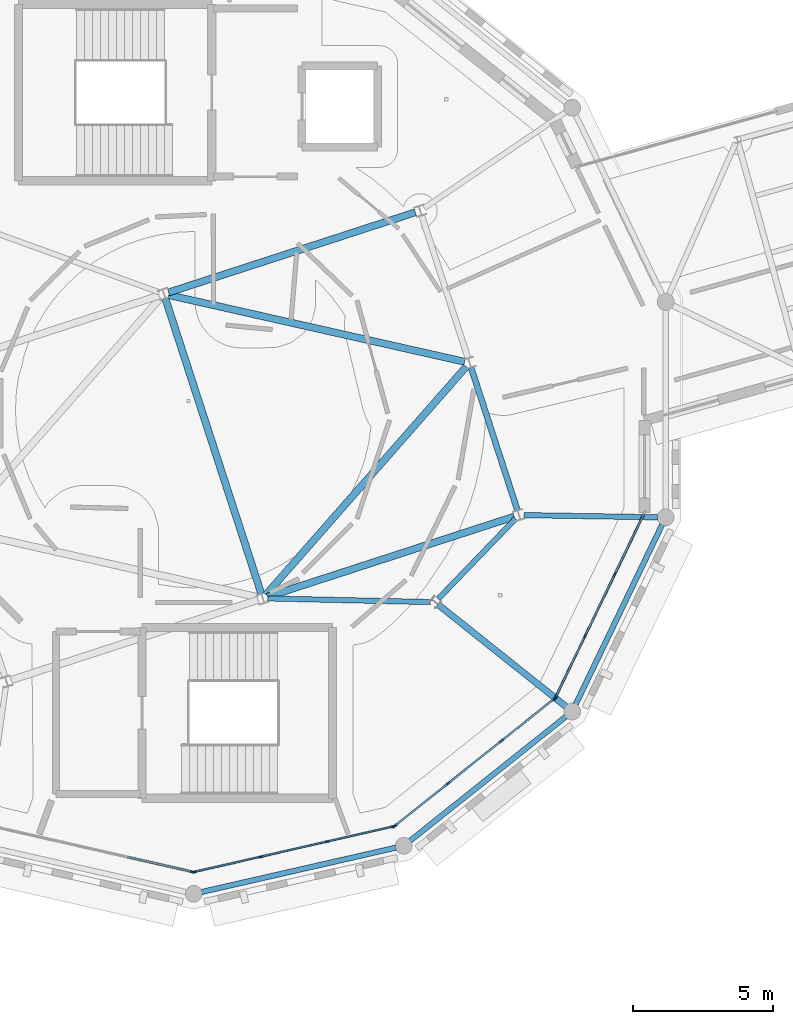
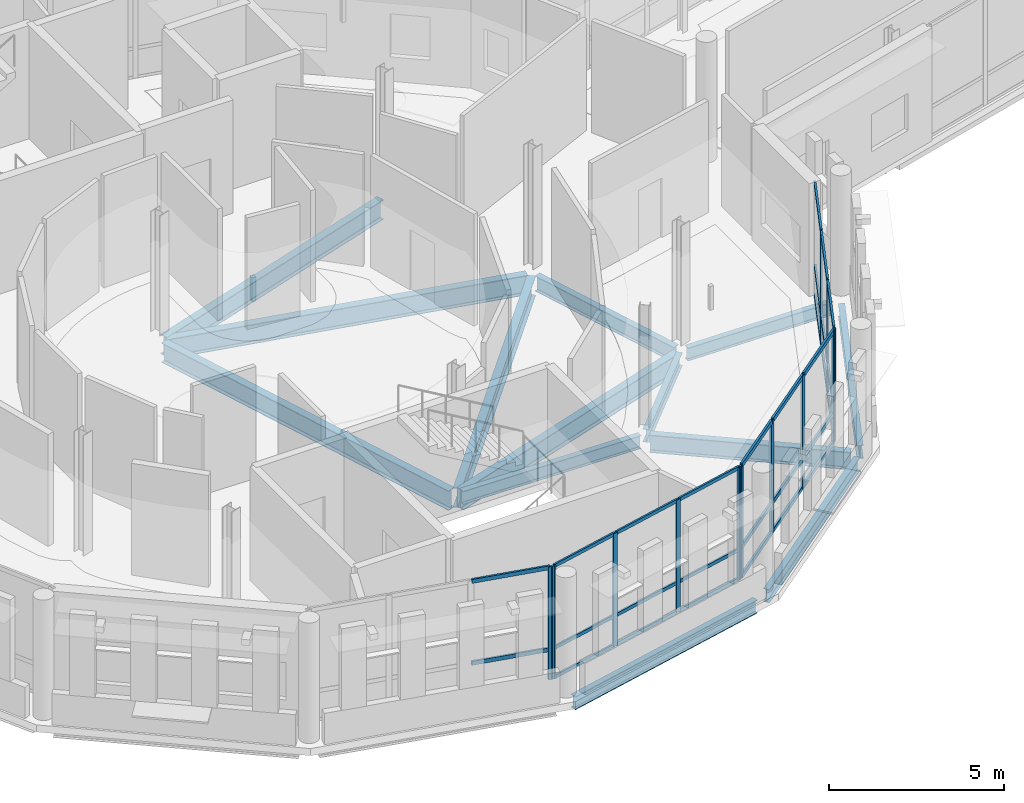
# One storey, part 28 of 125: 41 members, 13 beams, 4 elements without a shape of their own.
"""IFC4 building model written with IfcOpenShell, lengths in metres."""

from ifc_helpers import new_model, si_unit, direction, frame, origin, origin_2d, place, context, subcontext, project, spatial, rectangle, i_section, extrude, material, material_profile, profile_set, type_object, element, aggregate, save


model = new_model("IFC4")

# Units and contexts
model_context = context("Model", 3, precision=1e-05, world=origin(), true_north=direction((0.0, 1.0)))
body_context = subcontext(model_context, "Body", "Model", "MODEL_VIEW")
ifc_project = project(units=[si_unit("LENGTHUNIT", "METRE"), si_unit("AREAUNIT", "SQUARE_METRE"), si_unit("VOLUMEUNIT", "CUBIC_METRE"), si_unit("PLANEANGLEUNIT", "RADIAN"), si_unit("MASSUNIT", "GRAM", prefix="KILO")], contexts=[model_context])

# Site, building, storey
site_placement = place(None, origin())
site = spatial("IfcSite", under=ifc_project, at=site_placement, CompositionType="ELEMENT")
building_placement = place(site_placement, origin())
building = spatial("IfcBuilding", under=site, at=building_placement, Name="Wrenclough Park School", CompositionType="ELEMENT")
storey_placement = place(building_placement, frame((0.0, 0.0, 4.199951171875)))
storey = spatial("IfcBuildingStorey", under=building, at=storey_placement, Name="L01", CompositionType="ELEMENT", Elevation=4.199951171875)

# Curtain wall, members
ifc_material_1 = material(Name="Thermally broken aluminium and low-e glass curtain wall", Category="aluminium")
curtain_wall_type_1 = type_object("IfcCurtainWallType", Name="ENV-CW-05", PredefinedType="USERDEFINED", material=ifc_material_1)
curtain_wall_1_placement = place(storey_placement, origin())
curtain_wall_1 = element("IfcCurtainWall", 1, at=curtain_wall_1_placement, inside=storey, type_object=curtain_wall_type_1, Name="L01 recessed curtain wall assembly 084", ObjectType="CURTAIN WALL", PredefinedType="USERDEFINED")
ifc_material_2 = material(Name="Thermally broken anodised aluminium", Category="aluminium")
ifc_material_profile_1 = material_profile(ifc_material_2, rectangle(XDim=0.06005859375, YDim=0.159912109375, at=origin_2d()), Name="AL MULLION 60x160")
ifc_profile_set_1 = profile_set([ifc_material_profile_1], Name="Thermally broken anodised aluminium")
member_type_1 = type_object("IfcMemberType", Name="ENV-CWM-1", PredefinedType="MULLION", material=ifc_profile_set_1)
member_1_placement = place(storey_placement, frame((43.615966796875, 8.647216796875, 0.0), z_axis=(0.0, 0.0, 1.0), x_axis=(0.222513781108, -0.974929544745, 0.0)))
member_1 = element("IfcMember", 2, at=member_1_placement, type_object=member_type_1, Name="CW-05 mullion 1", PredefinedType="MULLION", context=body_context, shape_type="SweptSolid", body=[
    extrude(rectangle(XDim=0.06005859375, YDim=0.159912109375, at=origin_2d()), origin(), (0.0, 0.0, 1.0), 3.93994140625),
])
member_2_placement = place(storey_placement, frame((41.2646484375, 8.110595703125, 0.0), z_axis=(0.0, 0.0, 1.0), x_axis=(0.222513781108, -0.974929544745, 0.0)))
member_2 = element("IfcMember", 3, at=member_2_placement, type_object=member_type_1, Name="CW-05 mullion 2", PredefinedType="MULLION", context=body_context, shape_type="SweptSolid", body=[
    extrude(rectangle(XDim=0.06005859375, YDim=0.159912109375, at=origin_2d()), origin(), (0.0, 0.0, 1.0), 3.93994140625),
])
member_3_placement = place(storey_placement, frame((38.88427734375, 7.5673828125, 0.0), z_axis=(0.0, 0.0, 1.0), x_axis=(0.222513781108, -0.974929544745, 0.0)))
member_3 = element("IfcMember", 4, at=member_3_placement, type_object=member_type_1, Name="CW-05 mullion 3", PredefinedType="MULLION", context=body_context, shape_type="SweptSolid", body=[
    extrude(rectangle(XDim=0.06005859375, YDim=0.159912109375, at=origin_2d()), origin(), (0.0, 0.0, 1.0), 3.93994140625),
])
member_4_placement = place(storey_placement, frame((36.533203125, 7.03076171875, 0.0), z_axis=(0.0, 0.0, 1.0), x_axis=(0.222513781108, -0.974929544745, 0.0)))
member_4 = element("IfcMember", 5, at=member_4_placement, type_object=member_type_1, Name="CW-05 mullion 4", PredefinedType="MULLION", context=body_context, shape_type="SweptSolid", body=[
    extrude(rectangle(XDim=0.06005859375, YDim=0.159912109375, at=origin_2d()), origin(), (0.0, 0.0, 1.0), 3.93994140625),
])

# Curtain wall, member
curtain_wall_type_2 = type_object("IfcCurtainWallType", Name="ENV-CW-06", PredefinedType="USERDEFINED", material=ifc_material_1)
curtain_wall_2_placement = place(storey_placement, origin())
curtain_wall_2 = element("IfcCurtainWall", 6, at=curtain_wall_2_placement, inside=storey, type_object=curtain_wall_type_2, Name="L01 recessed curtain wall assembly 085", ObjectType="CURTAIN WALL", PredefinedType="USERDEFINED")
ifc_material_profile_2 = material_profile(ifc_material_2, rectangle(XDim=0.06494140625, YDim=0.179931640625, at=origin_2d()), Name="AL MULLION 65x180")
ifc_profile_set_2 = profile_set([ifc_material_profile_2], Name="Thermally broken anodised aluminium")
member_type_2 = type_object("IfcMemberType", Name="ENV-CWM-2", PredefinedType="MULLION", material=ifc_profile_set_2)
member_5_placement = place(storey_placement, frame((36.46435546875, 7.03125, 0.0), z_axis=(0.0, 0.0, 1.0), x_axis=(-0.222510819536, -0.974930220677, 0.0)))
member_5 = element("IfcMember", 7, at=member_5_placement, type_object=member_type_2, Name="CW-06 mullion 1", PredefinedType="MULLION", context=body_context, shape_type="SweptSolid", body=[
    extrude(rectangle(XDim=0.06494140625, YDim=0.179931640625, at=origin_2d()), origin(), (0.0, 0.0, 1.0), 3.93994140625),
])

# Curtain wall, members
curtain_wall_type_3 = type_object("IfcCurtainWallType", Name="ENV-CW-12", PredefinedType="USERDEFINED", material=ifc_material_1)
curtain_wall_3_placement = place(storey_placement, origin())
curtain_wall_3 = element("IfcCurtainWall", 8, at=curtain_wall_3_placement, inside=storey, type_object=curtain_wall_type_3, Name="L01 recessed curtain wall assembly 139", ObjectType="CURTAIN WALL", PredefinedType="USERDEFINED")
member_6_placement = place(storey_placement, frame((51.502685546875, 17.630126953125, 0.0), z_axis=(0.0, 0.0, 1.0), x_axis=(0.900963523358, -0.433894837004, 0.0)))
member_6 = element("IfcMember", 9, at=member_6_placement, type_object=member_type_2, Name="CW-12 mullion 2", PredefinedType="MULLION", context=body_context, shape_type="SweptSolid", body=[
    extrude(rectangle(XDim=0.06494140625, YDim=0.179931640625, at=origin_2d()), origin(), (0.0, 0.0, 1.0), 3.93994140625),
])
member_7_placement = place(storey_placement, frame((50.443115234375, 15.43017578125, 0.0), z_axis=(0.0, 0.0, 1.0), x_axis=(0.900963523358, -0.433894837004, 0.0)))
member_7 = element("IfcMember", 10, at=member_7_placement, type_object=member_type_2, Name="CW-12 mullion 3", PredefinedType="MULLION", context=body_context, shape_type="SweptSolid", body=[
    extrude(rectangle(XDim=0.06494140625, YDim=0.179931640625, at=origin_2d()), origin(), (0.0, 0.0, 1.0), 3.93994140625),
])
member_8_placement = place(storey_placement, frame((49.39794921875, 13.259521484375, 0.0), z_axis=(0.0, 0.0, 1.0), x_axis=(0.900963523358, -0.433894837004, 0.0)))
member_8 = element("IfcMember", 11, at=member_8_placement, type_object=member_type_2, Name="CW-12 mullion 4", PredefinedType="MULLION", context=body_context, shape_type="SweptSolid", body=[
    extrude(rectangle(XDim=0.06494140625, YDim=0.179931640625, at=origin_2d()), origin(), (0.0, 0.0, 1.0), 3.93994140625),
])

curtain_wall_type_4 = type_object("IfcCurtainWallType", Name="ENV-CW-13", PredefinedType="USERDEFINED", material=ifc_material_1)
curtain_wall_4_placement = place(storey_placement, origin())
curtain_wall_4 = element("IfcCurtainWall", 12, at=curtain_wall_4_placement, inside=storey, type_object=curtain_wall_type_4, Name="L01 recessed curtain wall assembly 140", ObjectType="CURTAIN WALL", PredefinedType="USERDEFINED")
ifc_material_profile_3 = material_profile(ifc_material_2, rectangle(XDim=0.070068359375, YDim=0.199951171875, at=origin_2d()), Name="AL MULLION 70x200")
ifc_profile_set_3 = profile_set([ifc_material_profile_3], Name="Thermally broken anodised aluminium")
member_type_3 = type_object("IfcMemberType", Name="ENV-CWM-3", PredefinedType="MULLION", material=ifc_profile_set_3)
member_9_placement = place(storey_placement, frame((49.3515625, 13.202392578125, 0.0), z_axis=(0.0, 0.0, 1.0), x_axis=(0.623483909926, -0.781836181091, 0.0)))
member_9 = element("IfcMember", 13, at=member_9_placement, type_object=member_type_3, Name="CW-13 mullion 1", PredefinedType="MULLION", context=body_context, shape_type="SweptSolid", body=[
    extrude(rectangle(XDim=0.070068359375, YDim=0.199951171875, at=origin_2d()), origin(), (0.0, 0.0, 1.0), 3.93994140625),
])
member_10_placement = place(storey_placement, frame((47.469970703125, 11.701904296875, 0.0), z_axis=(0.0, 0.0, 1.0), x_axis=(0.623483909926, -0.781836181091, 0.0)))
member_10 = element("IfcMember", 14, at=member_10_placement, type_object=member_type_3, Name="CW-13 mullion 2", PredefinedType="MULLION", context=body_context, shape_type="SweptSolid", body=[
    extrude(rectangle(XDim=0.070068359375, YDim=0.199951171875, at=origin_2d()), origin(), (0.0, 0.0, 1.0), 3.93994140625),
])
member_11_placement = place(storey_placement, frame((45.56103515625, 10.1796875, 0.0), z_axis=(0.0, 0.0, 1.0), x_axis=(0.623483909926, -0.781836181091, 0.0)))
member_11 = element("IfcMember", 15, at=member_11_placement, type_object=member_type_3, Name="CW-13 mullion 3", PredefinedType="MULLION", context=body_context, shape_type="SweptSolid", body=[
    extrude(rectangle(XDim=0.070068359375, YDim=0.199951171875, at=origin_2d()), origin(), (0.0, 0.0, 1.0), 3.93994140625),
])
member_12_placement = place(storey_placement, frame((43.679443359375, 8.67919921875, 0.0), z_axis=(0.0, 0.0, 1.0), x_axis=(0.623483909926, -0.781836181091, 0.0)))
member_12 = element("IfcMember", 16, at=member_12_placement, type_object=member_type_3, Name="CW-13 mullion 4", PredefinedType="MULLION", context=body_context, shape_type="SweptSolid", body=[
    extrude(rectangle(XDim=0.070068359375, YDim=0.199951171875, at=origin_2d()), origin(), (0.0, 0.0, 1.0), 3.93994140625),
])

# Member
ifc_material_profile_4 = material_profile(ifc_material_2, rectangle(XDim=0.06005859375, YDim=0.1201171875, at=origin_2d()), Name="AL TRANSOM 60x120")
ifc_profile_set_4 = profile_set([ifc_material_profile_4], Name="Thermally broken anodised aluminium")
member_type_4 = type_object("IfcMemberType", Name="ENV-CWT-1", PredefinedType="USERDEFINED", material=ifc_profile_set_4)
member_13_placement = place(storey_placement, frame((43.586669921875, 8.640625, 0.030029296875), z_axis=(-0.974915173925, -0.222576736545, 0.0), x_axis=(0.222576736545, -0.974915173925, 0.0)))
member_13 = element("IfcMember", 17, at=member_13_placement, type_object=member_type_4, Name="CW-05 transom 1.1", ObjectType="TRANSOM", PredefinedType="USERDEFINED", context=body_context, shape_type="SweptSolid", body=[
    extrude(rectangle(XDim=0.06005859375, YDim=0.1201171875, at=origin_2d()), origin(), (0.0, 0.0, 1.0), 2.351806640625),
])

member_14_placement = place(storey_placement, frame((43.586669921875, 8.640625, 1.050048828125), z_axis=(-0.974915173925, -0.222576736545, 0.0), x_axis=(0.222576736545, -0.974915173925, 0.0)))
member_14 = element("IfcMember", 18, at=member_14_placement, type_object=member_type_4, Name="CW-05 transom 1.2", ObjectType="TRANSOM", PredefinedType="USERDEFINED", context=body_context, shape_type="SweptSolid", body=[
    extrude(rectangle(XDim=0.06005859375, YDim=0.1201171875, at=origin_2d()), origin(), (0.0, 0.0, 1.0), 2.351806640625),
])

member_15_placement = place(storey_placement, frame((43.586669921875, 8.640625, 3.91015625), z_axis=(-0.974915173925, -0.222576736545, 0.0), x_axis=(0.222576736545, -0.974915173925, 0.0)))
member_15 = element("IfcMember", 19, at=member_15_placement, type_object=member_type_4, Name="CW-05 transom 1.3", ObjectType="TRANSOM", PredefinedType="USERDEFINED", context=body_context, shape_type="SweptSolid", body=[
    extrude(rectangle(XDim=0.06005859375, YDim=0.1201171875, at=origin_2d()), origin(), (0.0, 0.0, 1.0), 2.351806640625),
])

member_16_placement = place(storey_placement, frame((41.235595703125, 8.10400390625, 0.030029296875), z_axis=(-0.974923991206, -0.222538112176, 0.0), x_axis=(0.222538112176, -0.974923991206, 0.0)))
member_16 = element("IfcMember", 20, at=member_16_placement, type_object=member_type_4, Name="CW-05 transom 2.1", ObjectType="TRANSOM", PredefinedType="USERDEFINED", context=body_context, shape_type="SweptSolid", body=[
    extrude(rectangle(XDim=0.06005859375, YDim=0.1201171875, at=origin_2d()), origin(), (0.0, 0.0, 1.0), 2.3818359375),
])

member_17_placement = place(storey_placement, frame((41.235595703125, 8.10400390625, 1.050048828125), z_axis=(-0.974923991206, -0.222538112176, 0.0), x_axis=(0.222538112176, -0.974923991206, 0.0)))
member_17 = element("IfcMember", 21, at=member_17_placement, type_object=member_type_4, Name="CW-05 transom 2.2", ObjectType="TRANSOM", PredefinedType="USERDEFINED", context=body_context, shape_type="SweptSolid", body=[
    extrude(rectangle(XDim=0.06005859375, YDim=0.1201171875, at=origin_2d()), origin(), (0.0, 0.0, 1.0), 2.3818359375),
])

member_18_placement = place(storey_placement, frame((41.235595703125, 8.10400390625, 3.91015625), z_axis=(-0.974923991206, -0.222538112176, 0.0), x_axis=(0.222538112176, -0.974923991206, 0.0)))
member_18 = element("IfcMember", 22, at=member_18_placement, type_object=member_type_4, Name="CW-05 transom 2.3", ObjectType="TRANSOM", PredefinedType="USERDEFINED", context=body_context, shape_type="SweptSolid", body=[
    extrude(rectangle(XDim=0.06005859375, YDim=0.1201171875, at=origin_2d()), origin(), (0.0, 0.0, 1.0), 2.3818359375),
])

member_19_placement = place(storey_placement, frame((38.85498046875, 7.560546875, 0.030029296875), z_axis=(-0.974932557044, -0.222500582507, 0.0), x_axis=(0.222500582507, -0.974932557044, 0.0)))
member_19 = element("IfcMember", 23, at=member_19_placement, type_object=member_type_4, Name="CW-05 transom 3.1", ObjectType="TRANSOM", PredefinedType="USERDEFINED", context=body_context, shape_type="SweptSolid", body=[
    extrude(rectangle(XDim=0.06005859375, YDim=0.1201171875, at=origin_2d()), origin(), (0.0, 0.0, 1.0), 2.351318359375),
])

member_20_placement = place(storey_placement, frame((38.85498046875, 7.560546875, 1.050048828125), z_axis=(-0.974932557044, -0.222500582507, 0.0), x_axis=(0.222500582507, -0.974932557044, 0.0)))
member_20 = element("IfcMember", 24, at=member_20_placement, type_object=member_type_4, Name="CW-05 transom 3.2", ObjectType="TRANSOM", PredefinedType="USERDEFINED", context=body_context, shape_type="SweptSolid", body=[
    extrude(rectangle(XDim=0.06005859375, YDim=0.1201171875, at=origin_2d()), origin(), (0.0, 0.0, 1.0), 2.351318359375),
])

member_21_placement = place(storey_placement, frame((38.85498046875, 7.560546875, 3.91015625), z_axis=(-0.974932557044, -0.222500582507, 0.0), x_axis=(0.222500582507, -0.974932557044, 0.0)))
member_21 = element("IfcMember", 25, at=member_21_placement, type_object=member_type_4, Name="CW-05 transom 3.3", ObjectType="TRANSOM", PredefinedType="USERDEFINED", context=body_context, shape_type="SweptSolid", body=[
    extrude(rectangle(XDim=0.06005859375, YDim=0.1201171875, at=origin_2d()), origin(), (0.0, 0.0, 1.0), 2.351318359375),
])

aggregate(curtain_wall_1, [member_1, member_2, member_3, member_4, member_13, member_14, member_15, member_16, member_17, member_18, member_19, member_20, member_21])

ifc_material_profile_5 = material_profile(ifc_material_2, rectangle(XDim=0.06494140625, YDim=0.139892578125, at=origin_2d()), Name="AL TRANSOM 65x140")
ifc_profile_set_5 = profile_set([ifc_material_profile_5], Name="Thermally broken anodised aluminium")
member_type_5 = type_object("IfcMemberType", Name="ENV-CWT-2", PredefinedType="USERDEFINED", material=ifc_profile_set_5)
member_22_placement = place(storey_placement, frame((36.4326171875, 7.03857421875, 1.050048828125), z_axis=(-0.974941177023, 0.222462808901, 0.0), x_axis=(-0.222462808901, -0.974941177023, 0.0)))
member_22 = element("IfcMember", 26, at=member_22_placement, type_object=member_type_5, Name="CW-06 transom 1.2", ObjectType="TRANSOM", PredefinedType="USERDEFINED", context=body_context, shape_type="SweptSolid", body=[
    extrude(rectangle(XDim=0.06494140625, YDim=0.139892578125, at=origin_2d()), origin(), (0.0, 0.0, 1.0), 2.34423828125),
])

member_23_placement = place(storey_placement, frame((36.4326171875, 7.03857421875, 3.907470703125), z_axis=(-0.974941177023, 0.222462808901, 0.0), x_axis=(-0.222462808901, -0.974941177023, 0.0)))
member_23 = element("IfcMember", 27, at=member_23_placement, type_object=member_type_5, Name="CW-06 transom 1.3", ObjectType="TRANSOM", PredefinedType="USERDEFINED", context=body_context, shape_type="SweptSolid", body=[
    extrude(rectangle(XDim=0.06494140625, YDim=0.139892578125, at=origin_2d()), origin(), (0.0, 0.0, 1.0), 2.34423828125),
])

aggregate(curtain_wall_2, [member_5, member_22, member_23])

member_24_placement = place(storey_placement, frame((52.533935546875, 19.771240234375, 0.032470703125), z_axis=(-0.43391582899, -0.90095341353, 0.0), x_axis=(0.90095341353, -0.43391582899, 0.0)))
member_24 = element("IfcMember", 28, at=member_24_placement, type_object=member_type_5, Name="CW-12 transom 1.1", ObjectType="TRANSOM", PredefinedType="USERDEFINED", context=body_context, shape_type="SweptSolid", body=[
    extrude(rectangle(XDim=0.06494140625, YDim=0.139892578125, at=origin_2d()), origin(), (0.0, 0.0, 1.0), 2.343994140625),
])

member_25_placement = place(storey_placement, frame((52.533935546875, 19.771240234375, 1.050048828125), z_axis=(-0.43391582899, -0.90095341353, 0.0), x_axis=(0.90095341353, -0.43391582899, 0.0)))
member_25 = element("IfcMember", 29, at=member_25_placement, type_object=member_type_5, Name="CW-12 transom 1.2", ObjectType="TRANSOM", PredefinedType="USERDEFINED", context=body_context, shape_type="SweptSolid", body=[
    extrude(rectangle(XDim=0.06494140625, YDim=0.139892578125, at=origin_2d()), origin(), (0.0, 0.0, 1.0), 2.343994140625),
])

member_26_placement = place(storey_placement, frame((52.533935546875, 19.771240234375, 3.907470703125), z_axis=(-0.43391582899, -0.90095341353, 0.0), x_axis=(0.90095341353, -0.43391582899, 0.0)))
member_26 = element("IfcMember", 30, at=member_26_placement, type_object=member_type_5, Name="CW-12 transom 1.3", ObjectType="TRANSOM", PredefinedType="USERDEFINED", context=body_context, shape_type="SweptSolid", body=[
    extrude(rectangle(XDim=0.06494140625, YDim=0.139892578125, at=origin_2d()), origin(), (0.0, 0.0, 1.0), 2.343994140625),
])

member_27_placement = place(storey_placement, frame((51.488525390625, 17.600830078125, 0.032470703125), z_axis=(-0.433892829393, -0.9009644902, 0.0), x_axis=(0.9009644902, -0.433892829393, 0.0)))
member_27 = element("IfcMember", 31, at=member_27_placement, type_object=member_type_5, Name="CW-12 transom 2.1", ObjectType="TRANSOM", PredefinedType="USERDEFINED", context=body_context, shape_type="SweptSolid", body=[
    extrude(rectangle(XDim=0.06494140625, YDim=0.139892578125, at=origin_2d()), origin(), (0.0, 0.0, 1.0), 2.376708984375),
])

member_28_placement = place(storey_placement, frame((51.488525390625, 17.600830078125, 1.050048828125), z_axis=(-0.433892829393, -0.9009644902, 0.0), x_axis=(0.9009644902, -0.433892829393, 0.0)))
member_28 = element("IfcMember", 32, at=member_28_placement, type_object=member_type_5, Name="CW-12 transom 2.2", ObjectType="TRANSOM", PredefinedType="USERDEFINED", context=body_context, shape_type="SweptSolid", body=[
    extrude(rectangle(XDim=0.06494140625, YDim=0.139892578125, at=origin_2d()), origin(), (0.0, 0.0, 1.0), 2.376708984375),
])

member_29_placement = place(storey_placement, frame((51.488525390625, 17.600830078125, 3.907470703125), z_axis=(-0.433892829393, -0.9009644902, 0.0), x_axis=(0.9009644902, -0.433892829393, 0.0)))
member_29 = element("IfcMember", 33, at=member_29_placement, type_object=member_type_5, Name="CW-12 transom 2.3", ObjectType="TRANSOM", PredefinedType="USERDEFINED", context=body_context, shape_type="SweptSolid", body=[
    extrude(rectangle(XDim=0.06494140625, YDim=0.139892578125, at=origin_2d()), origin(), (0.0, 0.0, 1.0), 2.376708984375),
])

member_30_placement = place(storey_placement, frame((50.42919921875, 15.40087890625, 0.032470703125), z_axis=(-0.433875113654, -0.900973021656, 0.0), x_axis=(0.900973021656, -0.433875113654, 0.0)))
member_30 = element("IfcMember", 34, at=member_30_placement, type_object=member_type_5, Name="CW-12 transom 3.1", ObjectType="TRANSOM", PredefinedType="USERDEFINED", context=body_context, shape_type="SweptSolid", body=[
    extrude(rectangle(XDim=0.06494140625, YDim=0.139892578125, at=origin_2d()), origin(), (0.0, 0.0, 1.0), 2.34423828125),
])

member_31_placement = place(storey_placement, frame((50.42919921875, 15.40087890625, 1.050048828125), z_axis=(-0.433875113654, -0.900973021656, 0.0), x_axis=(0.900973021656, -0.433875113654, 0.0)))
member_31 = element("IfcMember", 35, at=member_31_placement, type_object=member_type_5, Name="CW-12 transom 3.2", ObjectType="TRANSOM", PredefinedType="USERDEFINED", context=body_context, shape_type="SweptSolid", body=[
    extrude(rectangle(XDim=0.06494140625, YDim=0.139892578125, at=origin_2d()), origin(), (0.0, 0.0, 1.0), 2.34423828125),
])

member_32_placement = place(storey_placement, frame((50.42919921875, 15.40087890625, 3.907470703125), z_axis=(-0.433875113654, -0.900973021656, 0.0), x_axis=(0.900973021656, -0.433875113654, 0.0)))
member_32 = element("IfcMember", 36, at=member_32_placement, type_object=member_type_5, Name="CW-12 transom 3.3", ObjectType="TRANSOM", PredefinedType="USERDEFINED", context=body_context, shape_type="SweptSolid", body=[
    extrude(rectangle(XDim=0.06494140625, YDim=0.139892578125, at=origin_2d()), origin(), (0.0, 0.0, 1.0), 2.34423828125),
])

aggregate(curtain_wall_3, [member_6, member_7, member_8, member_24, member_25, member_26, member_27, member_28, member_29, member_30, member_31, member_32])

ifc_material_profile_6 = material_profile(ifc_material_2, rectangle(XDim=0.070068359375, YDim=0.14990234375, at=origin_2d()), Name="AL TRANSOM 70x150")
ifc_profile_set_6 = profile_set([ifc_material_profile_6], Name="Thermally broken anodised aluminium")
member_type_6 = type_object("IfcMemberType", Name="ENV-CWT-3", PredefinedType="USERDEFINED", material=ifc_profile_set_6)
member_33_placement = place(storey_placement, frame((49.32421875, 13.1806640625, 0.03515625), z_axis=(-0.781805679563, -0.623522156305, 0.0), x_axis=(0.623522156305, -0.781805679563, 0.0)))
member_33 = element("IfcMember", 37, at=member_33_placement, type_object=member_type_6, Name="CW-13 transom 1.1", ObjectType="TRANSOM", PredefinedType="USERDEFINED", context=body_context, shape_type="SweptSolid", body=[
    extrude(rectangle(XDim=0.070068359375, YDim=0.14990234375, at=origin_2d()), origin(), (0.0, 0.0, 1.0), 2.336669921875),
])

member_34_placement = place(storey_placement, frame((49.32421875, 13.1806640625, 1.050048828125), z_axis=(-0.781805679563, -0.623522156305, 0.0), x_axis=(0.623522156305, -0.781805679563, 0.0)))
member_34 = element("IfcMember", 38, at=member_34_placement, type_object=member_type_6, Name="CW-13 transom 1.2", ObjectType="TRANSOM", PredefinedType="USERDEFINED", context=body_context, shape_type="SweptSolid", body=[
    extrude(rectangle(XDim=0.070068359375, YDim=0.14990234375, at=origin_2d()), origin(), (0.0, 0.0, 1.0), 2.336669921875),
])

member_35_placement = place(storey_placement, frame((49.32421875, 13.1806640625, 3.905029296875), z_axis=(-0.781805679563, -0.623522156305, 0.0), x_axis=(0.623522156305, -0.781805679563, 0.0)))
member_35 = element("IfcMember", 39, at=member_35_placement, type_object=member_type_6, Name="CW-13 transom 1.3", ObjectType="TRANSOM", PredefinedType="USERDEFINED", context=body_context, shape_type="SweptSolid", body=[
    extrude(rectangle(XDim=0.070068359375, YDim=0.14990234375, at=origin_2d()), origin(), (0.0, 0.0, 1.0), 2.336669921875),
])

member_36_placement = place(storey_placement, frame((47.442626953125, 11.68017578125, 0.03515625), z_axis=(-0.781821967852, -0.623501732624, 0.0), x_axis=(0.623501732624, -0.781821967852, 0.0)))
member_36 = element("IfcMember", 40, at=member_36_placement, type_object=member_type_6, Name="CW-13 transom 2.1", ObjectType="TRANSOM", PredefinedType="USERDEFINED", context=body_context, shape_type="SweptSolid", body=[
    extrude(rectangle(XDim=0.070068359375, YDim=0.14990234375, at=origin_2d()), origin(), (0.0, 0.0, 1.0), 2.37158203125),
])

member_37_placement = place(storey_placement, frame((47.442626953125, 11.68017578125, 1.050048828125), z_axis=(-0.781821967852, -0.623501732624, 0.0), x_axis=(0.623501732624, -0.781821967852, 0.0)))
member_37 = element("IfcMember", 41, at=member_37_placement, type_object=member_type_6, Name="CW-13 transom 2.2", ObjectType="TRANSOM", PredefinedType="USERDEFINED", context=body_context, shape_type="SweptSolid", body=[
    extrude(rectangle(XDim=0.070068359375, YDim=0.14990234375, at=origin_2d()), origin(), (0.0, 0.0, 1.0), 2.37158203125),
])

member_38_placement = place(storey_placement, frame((47.442626953125, 11.68017578125, 3.905029296875), z_axis=(-0.781821967852, -0.623501732624, 0.0), x_axis=(0.623501732624, -0.781821967852, 0.0)))
member_38 = element("IfcMember", 42, at=member_38_placement, type_object=member_type_6, Name="CW-13 transom 2.3", ObjectType="TRANSOM", PredefinedType="USERDEFINED", context=body_context, shape_type="SweptSolid", body=[
    extrude(rectangle(XDim=0.070068359375, YDim=0.14990234375, at=origin_2d()), origin(), (0.0, 0.0, 1.0), 2.37158203125),
])

member_39_placement = place(storey_placement, frame((45.53369140625, 10.15771484375, 0.03515625), z_axis=(-0.781815992205, -0.623509225539, 0.0), x_axis=(0.623509225539, -0.781815992205, 0.0)))
member_39 = element("IfcMember", 43, at=member_39_placement, type_object=member_type_6, Name="CW-13 transom 3.1", ObjectType="TRANSOM", PredefinedType="USERDEFINED", context=body_context, shape_type="SweptSolid", body=[
    extrude(rectangle(XDim=0.070068359375, YDim=0.14990234375, at=origin_2d()), origin(), (0.0, 0.0, 1.0), 2.33642578125),
])

member_40_placement = place(storey_placement, frame((45.53369140625, 10.15771484375, 1.050048828125), z_axis=(-0.781815992205, -0.623509225539, 0.0), x_axis=(0.623509225539, -0.781815992205, 0.0)))
member_40 = element("IfcMember", 44, at=member_40_placement, type_object=member_type_6, Name="CW-13 transom 3.2", ObjectType="TRANSOM", PredefinedType="USERDEFINED", context=body_context, shape_type="SweptSolid", body=[
    extrude(rectangle(XDim=0.070068359375, YDim=0.14990234375, at=origin_2d()), origin(), (0.0, 0.0, 1.0), 2.33642578125),
])

member_41_placement = place(storey_placement, frame((45.53369140625, 10.15771484375, 3.905029296875), z_axis=(-0.781815992205, -0.623509225539, 0.0), x_axis=(0.623509225539, -0.781815992205, 0.0)))
member_41 = element("IfcMember", 45, at=member_41_placement, type_object=member_type_6, Name="CW-13 transom 3.3", ObjectType="TRANSOM", PredefinedType="USERDEFINED", context=body_context, shape_type="SweptSolid", body=[
    extrude(rectangle(XDim=0.070068359375, YDim=0.14990234375, at=origin_2d()), origin(), (0.0, 0.0, 1.0), 2.33642578125),
])

aggregate(curtain_wall_4, [member_9, member_10, member_11, member_12, member_33, member_34, member_35, member_36, member_37, member_38, member_39, member_40, member_41])

# Beams
ifc_material_3 = material(Name="Structural steel S355", Category="steel")
ifc_material_profile_7 = material_profile(ifc_material_3, i_section(OverallWidth=0.18994140625, OverallDepth=0.453369140625, WebThickness=0.008544921875, FlangeThickness=0.0126953125, FilletRadius=0.01025390625, at=origin_2d()), Name="UKB 457x191x67")
ifc_profile_set_7 = profile_set([ifc_material_profile_7], Name="Structural steel S355")
beam_type_1 = type_object("IfcBeamType", Name="STR-BM-UKB457A", PredefinedType="BEAM", material=ifc_profile_set_7)
beam_1_placement = place(storey_placement, frame((39.14013671875, 16.77490234375, -0.4765625), z_axis=(0.999749614997, -0.022376490184, 0.0), x_axis=(0.022376490184, 0.999749614997, 0.0)))
element("IfcBeam", 46, at=beam_1_placement, inside=storey, type_object=beam_type_1, Name="Primary frame continuity tie beam 0053", PredefinedType="BEAM", context=body_context, shape_type="SweptSolid", body=[
    extrude(i_section(OverallWidth=0.18994140625, OverallDepth=0.453369140625, WebThickness=0.008544921875, FlangeThickness=0.0126953125, FilletRadius=0.01025390625, at=origin_2d()), origin(), (0.0, 0.0, 1.0), 5.804443359375),
])
beam_2_placement = place(storey_placement, frame((47.96728515625, 19.61669921875, -0.4765625), z_axis=(-0.693934352177, -0.720038273197, 0.0), x_axis=(0.720038273197, -0.693934352177, 0.0)))
element("IfcBeam", 47, at=beam_2_placement, inside=storey, type_object=beam_type_1, Name="Primary frame continuity tie beam 0061", PredefinedType="BEAM", context=body_context, shape_type="SweptSolid", body=[
    extrude(i_section(OverallWidth=0.18994140625, OverallDepth=0.453369140625, WebThickness=0.008544921875, FlangeThickness=0.0126953125, FilletRadius=0.01025390625, at=origin_2d()), origin(), (0.0, 0.0, 1.0), 3.974853515625),
])
beam_3_placement = place(storey_placement, frame((48.270263671875, 19.74267578125, -0.4765625), z_axis=(0.999870299133, -0.016105431103, 0.0), x_axis=(0.016105431103, 0.999870299133, 0.0)))
element("IfcBeam", 48, at=beam_3_placement, inside=storey, type_object=beam_type_1, Name="Primary frame continuity tie beam 0063", PredefinedType="BEAM", context=body_context, shape_type="SweptSolid", body=[
    extrude(i_section(OverallWidth=0.18994140625, OverallDepth=0.453369140625, WebThickness=0.008544921875, FlangeThickness=0.0126953125, FilletRadius=0.01025390625, at=origin_2d()), origin(), (0.0, 0.0, 1.0), 4.760009765625),
])
ifc_material_profile_8 = material_profile(ifc_material_3, i_section(OverallWidth=0.19140625, OverallDepth=0.4599609375, WebThickness=0.010009765625, FlangeThickness=0.01611328125, FilletRadius=0.01025390625, at=origin_2d()), Name="UKB 457x191x82")
ifc_profile_set_8 = profile_set([ifc_material_profile_8], Name="Structural steel S355")
beam_type_2 = type_object("IfcBeamType", Name="STR-BM-UKB457B", PredefinedType="SPANDREL", material=ifc_profile_set_8)
for number, where, z_axis, x_axis, name in (
    (49, (36.78076171875, 6.314208984375, -0.47998046875), (0.974928448916, 0.222518582359, 0.0), (-0.222518582359, 0.974928448916, 0.0), "D2 L01 outer ring spandrel beam 11"),
    (50, (44.209716796875, 8.137939453125, -0.47998046875), (0.781840614213, 0.623478350841, 0.0), (-0.623478350841, 0.781840614213, 0.0), "D2 L01 outer ring spandrel beam 12"),
    (51, (50.111572265625, 13.00439453125, -0.47998046875), (0.433865238323, 0.900977777182, 0.0), (-0.900977777182, 0.433865238323, 0.0), "D2 L01 outer ring spandrel beam 13"),
):
    element("IfcBeam", number, at=place(storey_placement, frame(where, z_axis=z_axis, x_axis=x_axis)), inside=storey, type_object=beam_type_2, Name=name, PredefinedType="SPANDREL", context=body_context, shape_type="SweptSolid", body=[
        extrude(i_section(OverallWidth=0.19140625, OverallDepth=0.4599609375, WebThickness=0.010009765625, FlangeThickness=0.01611328125, FilletRadius=0.01025390625, at=origin_2d()), origin(), (0.0, 0.0, 1.0), 7.100830078125),
    ])
ifc_material_profile_9 = material_profile(ifc_material_3, i_section(OverallWidth=0.209228515625, OverallDepth=0.533203125, WebThickness=0.010009765625, FlangeThickness=0.015625, FilletRadius=0.0126953125, at=origin_2d()), Name="UKB 533x210x92")
ifc_profile_set_9 = profile_set([ifc_material_profile_9], Name="Structural steel S355")
beam_type_3 = type_object("IfcBeamType", Name="STR-BM-UKB533A", PredefinedType="BEAM", material=ifc_profile_set_9)
beam_4_placement = place(storey_placement, frame((48.0361328125, 19.91552734375, -0.516357421875), z_axis=(-0.30896620549, 0.951073017105, 0.0), x_axis=(-0.951073017105, -0.30896620549, 0.0)))
element("IfcBeam", 52, at=beam_4_placement, inside=storey, type_object=beam_type_3, Name="D2 L01 hall frame girder 5.6", PredefinedType="BEAM", context=body_context, shape_type="SweptSolid", body=[
    extrude(i_section(OverallWidth=0.209228515625, OverallDepth=0.533203125, WebThickness=0.010009765625, FlangeThickness=0.015625, FilletRadius=0.0126953125, at=origin_2d()), origin(), (0.0, 0.0, 1.0), 5.342529296875),
])
ifc_material_profile_10 = material_profile(ifc_material_3, i_section(OverallWidth=0.22900390625, OverallDepth=0.6123046875, WebThickness=0.011962890625, FlangeThickness=0.01953125, FilletRadius=0.0126953125, at=origin_2d()), Name="UKB 610x229x125")
ifc_profile_set_10 = profile_set([ifc_material_profile_10], Name="Structural steel S355")
beam_type_4 = type_object("IfcBeamType", Name="STR-BM-UKB610", PredefinedType="BEAM", material=ifc_profile_set_10)
beam_5_placement = place(storey_placement, frame((49.761474609375, 12.92431640625, -0.55615234375), z_axis=(-0.781832103636, 0.623489022938, 0.0), x_axis=(-0.623489022938, -0.781832103636, 0.0)))
element("IfcBeam", 53, at=beam_5_placement, inside=storey, type_object=beam_type_4, Name="D2 L01 radial girder 13", PredefinedType="BEAM", context=body_context, shape_type="SweptSolid", body=[
    extrude(i_section(OverallWidth=0.22900390625, OverallDepth=0.6123046875, WebThickness=0.011962890625, FlangeThickness=0.01953125, FilletRadius=0.0126953125, at=origin_2d()), origin(), (0.0, 0.0, 1.0), 5.804931640625),
])
ifc_material_profile_11 = material_profile(ifc_material_3, i_section(OverallWidth=0.253662109375, OverallDepth=0.68359375, WebThickness=0.012451171875, FlangeThickness=0.01904296875, FilletRadius=0.01513671875, at=origin_2d()), Name="UKB 686x254x140")
ifc_profile_set_11 = profile_set([ifc_material_profile_11], Name="Structural steel S355")
beam_type_5 = type_object("IfcBeamType", Name="STR-BM-UKB686", PredefinedType="BEAM", material=ifc_profile_set_11)
beam_6_placement = place(storey_placement, frame((38.906005859375, 16.94921875, -0.591796875), z_axis=(-0.309008580269, 0.951059250163, 0.0), x_axis=(-0.951059250163, -0.309008580269, 0.0)))
element("IfcBeam", 54, at=beam_6_placement, inside=storey, type_object=beam_type_5, Name="D2 L01 hall frame girder 3.4", PredefinedType="BEAM", context=body_context, shape_type="SweptSolid", body=[
    extrude(i_section(OverallWidth=0.253662109375, OverallDepth=0.68359375, WebThickness=0.012451171875, FlangeThickness=0.01904296875, FilletRadius=0.01513671875, at=origin_2d()), origin(), (0.0, 0.0, 1.0), 11.042236328125),
])
beam_7_placement = place(storey_placement, frame((39.131591796875, 16.834228515625, -0.591796875), z_axis=(0.951057167055, 0.309014991534, 0.0), x_axis=(-0.309014991534, 0.951057167055, 0.0)))
element("IfcBeam", 55, at=beam_7_placement, inside=storey, type_object=beam_type_5, Name="D2 L01 hall frame girder 3.5", PredefinedType="BEAM", context=body_context, shape_type="SweptSolid", body=[
    extrude(i_section(OverallWidth=0.253662109375, OverallDepth=0.68359375, WebThickness=0.012451171875, FlangeThickness=0.01904296875, FilletRadius=0.01513671875, at=origin_2d()), origin(), (0.0, 0.0, 1.0), 9.2421875),
])
beam_8_placement = place(storey_placement, frame((39.079345703125, 16.913330078125, -0.591796875), z_axis=(0.660011468277, 0.751255523602, 0.0), x_axis=(-0.751255523602, 0.660011468277, 0.0)))
element("IfcBeam", 56, at=beam_8_placement, inside=storey, type_object=beam_type_5, Name="D2 L01 hall frame girder 3.6", PredefinedType="BEAM", context=body_context, shape_type="SweptSolid", body=[
    extrude(i_section(OverallWidth=0.253662109375, OverallDepth=0.68359375, WebThickness=0.012451171875, FlangeThickness=0.01904296875, FilletRadius=0.01513671875, at=origin_2d()), origin(), (0.0, 0.0, 1.0), 10.80712890625),
])
beam_9_placement = place(storey_placement, frame((35.613037109375, 27.581787109375, -0.591796875), z_axis=(0.975532043777, -0.219857298181, 0.0), x_axis=(0.219857298181, 0.975532043777, 0.0)))
element("IfcBeam", 57, at=beam_9_placement, inside=storey, type_object=beam_type_5, Name="D2 L01 hall frame girder 4.6", PredefinedType="BEAM", context=body_context, shape_type="SweptSolid", body=[
    extrude(i_section(OverallWidth=0.253662109375, OverallDepth=0.68359375, WebThickness=0.012451171875, FlangeThickness=0.01904296875, FilletRadius=0.01513671875, at=origin_2d()), origin(), (0.0, 0.0, 1.0), 10.806884765625),
])
beam_10_placement = place(storey_placement, frame((35.608642578125, 27.67626953125, -0.591796875), z_axis=(0.951059689436, 0.309007228281, 0.0), x_axis=(-0.309007228281, 0.951059689436, 0.0)))
element("IfcBeam", 58, at=beam_10_placement, inside=storey, type_object=beam_type_5, Name="D2 L01 hall frame girder 4.7", PredefinedType="BEAM", context=body_context, shape_type="SweptSolid", body=[
    extrude(i_section(OverallWidth=0.253662109375, OverallDepth=0.68359375, WebThickness=0.012451171875, FlangeThickness=0.01904296875, FilletRadius=0.01513671875, at=origin_2d()), origin(), (0.0, 0.0, 1.0), 9.242431640625),
])

save(model, "model.ifc")
